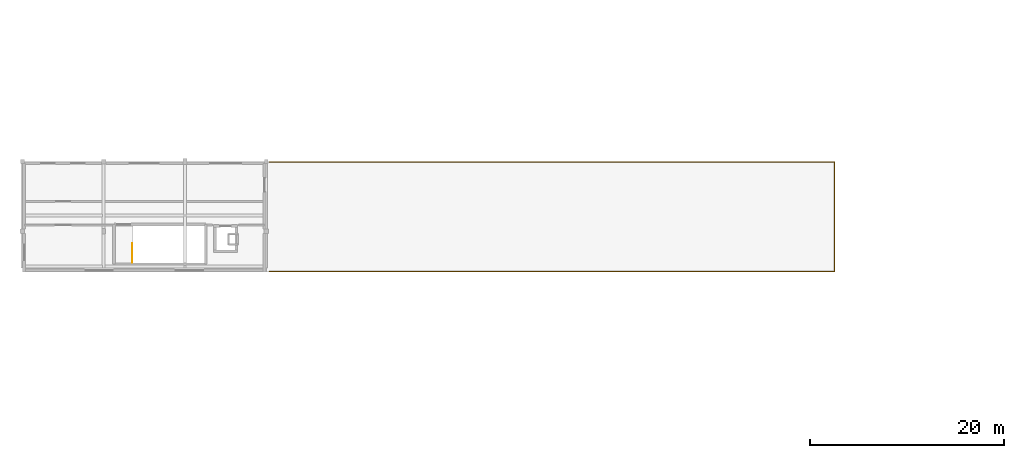
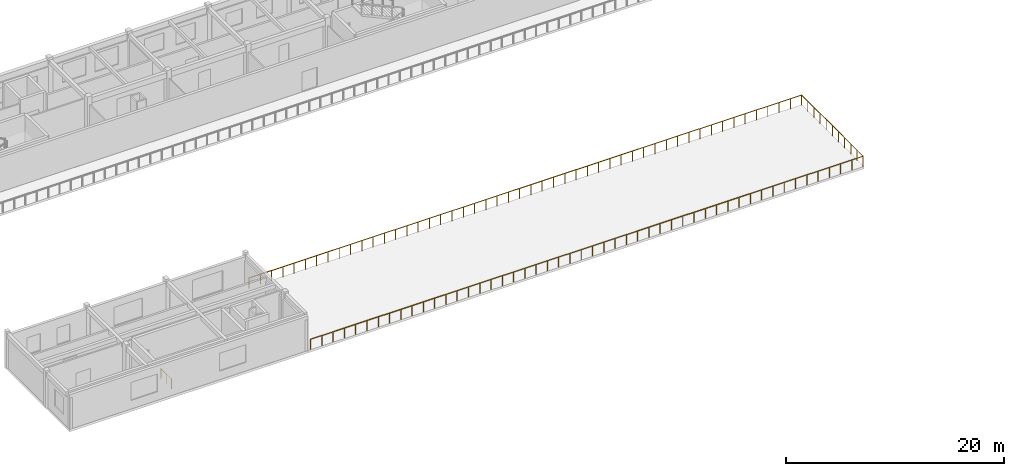
# One storey, part 10 of 14: 2 railings.
"""IFC4 building model written with IfcOpenShell, lengths in metres."""

from ifc_helpers import new_model, si_unit, direction, frame, origin, origin_2d, place, context, subcontext, project, spatial, circle, extrude, material, layer, layer_set, type_object, element, save


model = new_model("IFC4")

# Units and contexts
model_context = context("Model", 3, precision=1e-05, world=origin(), true_north=direction((0.0, 1.0)))
body_context = subcontext(model_context, "Body", "Model", "MODEL_VIEW")
ifc_project = project(units=[si_unit("LENGTHUNIT", "METRE"), si_unit("AREAUNIT", "SQUARE_METRE"), si_unit("VOLUMEUNIT", "CUBIC_METRE"), si_unit("PLANEANGLEUNIT", "RADIAN"), si_unit("MASSUNIT", "GRAM", prefix="KILO")], contexts=[model_context])

# Site, building, storey
site_placement = place(None, origin())
site = spatial("IfcSite", under=ifc_project, at=site_placement, CompositionType="ELEMENT")
building_placement = place(site_placement, origin())
building = spatial("IfcBuilding", under=site, at=building_placement, Name="Malvenik Polytechnic", CompositionType="ELEMENT")
storey_placement = place(building_placement, frame((0.0, 0.0, 21.89990234375)))
storey = spatial("IfcBuildingStorey", under=building, at=storey_placement, Name="L05", CompositionType="ELEMENT", Elevation=21.89990234375)

# Railings
ifc_material_1 = material(Name="Galvanised powder-coated steel and laminated glass guard 1150mm", Category="steel")
ifc_layer_1 = layer(ifc_material_1, 0.070068359375)
ifc_layer_set_1 = layer_set([ifc_layer_1], Name="Galvanised powder-coated steel and laminated glass guard 1150mm")
railing_type_1 = type_object("IfcRailingType", Name="ARC-RL-BAL-1150", PredefinedType="BALUSTRADE", material=ifc_layer_set_1)
railing_1_placement = place(storey_placement, frame((25.52001953125, 93.5400390625, 0.0)))
element("IfcRailing", 1, at=railing_1_placement, inside=storey, type_object=railing_type_1, Name="Terrace Perimeter Balustrade L05 #22", PredefinedType="BALUSTRADE", context=body_context, shape_type="SweptSolid", body=[
    extrude(circle(Radius=0.02392578125, at=origin_2d()), frame((0.0, 0.0, 1.1259765625), z_axis=(1.0, 0.0, 0.0), x_axis=(0.0, 1.0, 0.0)), (0.0, 0.0, 1.0), 58.419921875),
    extrude(circle(Radius=0.02392578125, at=origin_2d()), frame((58.419921875, 0.0, 1.1259765625), z_axis=(0.0, -1.0, 0.0), x_axis=(1.0, 0.0, 0.0)), (0.0, 0.0, 1.0), 11.280029296875),
    extrude(circle(Radius=0.02392578125, at=origin_2d()), frame((58.419921875, -11.280029296875, 1.1259765625), z_axis=(-1.0, 0.0, 0.0), x_axis=(0.0, -1.0, 0.0)), (0.0, 0.0, 1.0), 58.419921875),
    extrude(circle(Radius=0.02099609375, at=origin_2d()), origin(), (0.0, 0.0, 1.0), 1.101806640625),
    extrude(circle(Radius=0.02099609375, at=origin_2d()), frame((1.192138671875, 0.0, 0.0)), (0.0, 0.0, 1.0), 1.101806640625),
    extrude(circle(Radius=0.02099609375, at=origin_2d()), frame((2.384521484375, 0.0, 0.0)), (0.0, 0.0, 1.0), 1.101806640625),
    extrude(circle(Radius=0.02099609375, at=origin_2d()), frame((3.57666015625, 0.0, 0.0)), (0.0, 0.0, 1.0), 1.101806640625),
    extrude(circle(Radius=0.02099609375, at=origin_2d()), frame((4.76904296875, 0.0, 0.0)), (0.0, 0.0, 1.0), 1.101806640625),
    extrude(circle(Radius=0.02099609375, at=origin_2d()), frame((5.961181640625, 0.0, 0.0)), (0.0, 0.0, 1.0), 1.101806640625),
    extrude(circle(Radius=0.02099609375, at=origin_2d()), frame((7.153564453125, 0.0, 0.0)), (0.0, 0.0, 1.0), 1.101806640625),
    extrude(circle(Radius=0.02099609375, at=origin_2d()), frame((8.345703125, 0.0, 0.0)), (0.0, 0.0, 1.0), 1.101806640625),
    extrude(circle(Radius=0.02099609375, at=origin_2d()), frame((9.537841796875, 0.0, 0.0)), (0.0, 0.0, 1.0), 1.101806640625),
    extrude(circle(Radius=0.02099609375, at=origin_2d()), frame((10.730224609375, 0.0, 0.0)), (0.0, 0.0, 1.0), 1.101806640625),
    extrude(circle(Radius=0.02099609375, at=origin_2d()), frame((11.92236328125, 0.0, 0.0)), (0.0, 0.0, 1.0), 1.101806640625),
    extrude(circle(Radius=0.02099609375, at=origin_2d()), frame((13.11474609375, 0.0, 0.0)), (0.0, 0.0, 1.0), 1.101806640625),
    extrude(circle(Radius=0.02099609375, at=origin_2d()), frame((14.306884765625, 0.0, 0.0)), (0.0, 0.0, 1.0), 1.101806640625),
    extrude(circle(Radius=0.02099609375, at=origin_2d()), frame((15.499267578125, 0.0, 0.0)), (0.0, 0.0, 1.0), 1.101806640625),
    extrude(circle(Radius=0.02099609375, at=origin_2d()), frame((16.69140625, 0.0, 0.0)), (0.0, 0.0, 1.0), 1.101806640625),
    extrude(circle(Radius=0.02099609375, at=origin_2d()), frame((17.883544921875, 0.0, 0.0)), (0.0, 0.0, 1.0), 1.101806640625),
    extrude(circle(Radius=0.02099609375, at=origin_2d()), frame((19.075927734375, 0.0, 0.0)), (0.0, 0.0, 1.0), 1.101806640625),
    extrude(circle(Radius=0.02099609375, at=origin_2d()), frame((20.26806640625, 0.0, 0.0)), (0.0, 0.0, 1.0), 1.101806640625),
    extrude(circle(Radius=0.02099609375, at=origin_2d()), frame((21.46044921875, 0.0, 0.0)), (0.0, 0.0, 1.0), 1.101806640625),
    extrude(circle(Radius=0.02099609375, at=origin_2d()), frame((22.652587890625, 0.0, 0.0)), (0.0, 0.0, 1.0), 1.101806640625),
    extrude(circle(Radius=0.02099609375, at=origin_2d()), frame((23.844970703125, 0.0, 0.0)), (0.0, 0.0, 1.0), 1.101806640625),
    extrude(circle(Radius=0.02099609375, at=origin_2d()), frame((25.037109375, 0.0, 0.0)), (0.0, 0.0, 1.0), 1.101806640625),
    extrude(circle(Radius=0.02099609375, at=origin_2d()), frame((26.229248046875, 0.0, 0.0)), (0.0, 0.0, 1.0), 1.101806640625),
    extrude(circle(Radius=0.02099609375, at=origin_2d()), frame((27.421630859375, 0.0, 0.0)), (0.0, 0.0, 1.0), 1.101806640625),
    extrude(circle(Radius=0.02099609375, at=origin_2d()), frame((28.61376953125, 0.0, 0.0)), (0.0, 0.0, 1.0), 1.101806640625),
    extrude(circle(Radius=0.02099609375, at=origin_2d()), frame((29.80615234375, 0.0, 0.0)), (0.0, 0.0, 1.0), 1.101806640625),
    extrude(circle(Radius=0.02099609375, at=origin_2d()), frame((30.998291015625, 0.0, 0.0)), (0.0, 0.0, 1.0), 1.101806640625),
    extrude(circle(Radius=0.02099609375, at=origin_2d()), frame((32.190673828125, 0.0, 0.0)), (0.0, 0.0, 1.0), 1.101806640625),
    extrude(circle(Radius=0.02099609375, at=origin_2d()), frame((33.3828125, 0.0, 0.0)), (0.0, 0.0, 1.0), 1.101806640625),
    extrude(circle(Radius=0.02099609375, at=origin_2d()), frame((34.574951171875, 0.0, 0.0)), (0.0, 0.0, 1.0), 1.101806640625),
    extrude(circle(Radius=0.02099609375, at=origin_2d()), frame((35.767333984375, 0.0, 0.0)), (0.0, 0.0, 1.0), 1.101806640625),
    extrude(circle(Radius=0.02099609375, at=origin_2d()), frame((36.95947265625, 0.0, 0.0)), (0.0, 0.0, 1.0), 1.101806640625),
    extrude(circle(Radius=0.02099609375, at=origin_2d()), frame((38.15185546875, 0.0, 0.0)), (0.0, 0.0, 1.0), 1.101806640625),
    extrude(circle(Radius=0.02099609375, at=origin_2d()), frame((39.343994140625, 0.0, 0.0)), (0.0, 0.0, 1.0), 1.101806640625),
    extrude(circle(Radius=0.02099609375, at=origin_2d()), frame((40.536376953125, 0.0, 0.0)), (0.0, 0.0, 1.0), 1.101806640625),
    extrude(circle(Radius=0.02099609375, at=origin_2d()), frame((41.728515625, 0.0, 0.0)), (0.0, 0.0, 1.0), 1.101806640625),
    extrude(circle(Radius=0.02099609375, at=origin_2d()), frame((42.920654296875, 0.0, 0.0)), (0.0, 0.0, 1.0), 1.101806640625),
    extrude(circle(Radius=0.02099609375, at=origin_2d()), frame((44.113037109375, 0.0, 0.0)), (0.0, 0.0, 1.0), 1.101806640625),
    extrude(circle(Radius=0.02099609375, at=origin_2d()), frame((45.30517578125, 0.0, 0.0)), (0.0, 0.0, 1.0), 1.101806640625),
    extrude(circle(Radius=0.02099609375, at=origin_2d()), frame((46.49755859375, 0.0, 0.0)), (0.0, 0.0, 1.0), 1.101806640625),
    extrude(circle(Radius=0.02099609375, at=origin_2d()), frame((47.689697265625, 0.0, 0.0)), (0.0, 0.0, 1.0), 1.101806640625),
    extrude(circle(Radius=0.02099609375, at=origin_2d()), frame((48.882080078125, 0.0, 0.0)), (0.0, 0.0, 1.0), 1.101806640625),
    extrude(circle(Radius=0.02099609375, at=origin_2d()), frame((50.07421875, 0.0, 0.0)), (0.0, 0.0, 1.0), 1.101806640625),
    extrude(circle(Radius=0.02099609375, at=origin_2d()), frame((51.266357421875, 0.0, 0.0)), (0.0, 0.0, 1.0), 1.101806640625),
    extrude(circle(Radius=0.02099609375, at=origin_2d()), frame((52.458740234375, 0.0, 0.0)), (0.0, 0.0, 1.0), 1.101806640625),
    extrude(circle(Radius=0.02099609375, at=origin_2d()), frame((53.65087890625, 0.0, 0.0)), (0.0, 0.0, 1.0), 1.101806640625),
    extrude(circle(Radius=0.02099609375, at=origin_2d()), frame((54.84326171875, 0.0, 0.0)), (0.0, 0.0, 1.0), 1.101806640625),
    extrude(circle(Radius=0.02099609375, at=origin_2d()), frame((56.035400390625, 0.0, 0.0)), (0.0, 0.0, 1.0), 1.101806640625),
    extrude(circle(Radius=0.02099609375, at=origin_2d()), frame((57.227783203125, 0.0, 0.0)), (0.0, 0.0, 1.0), 1.101806640625),
    extrude(circle(Radius=0.02099609375, at=origin_2d()), frame((58.419921875, 0.0, 0.0)), (0.0, 0.0, 1.0), 1.101806640625),
    extrude(circle(Radius=0.02099609375, at=origin_2d()), frame((58.419921875, -1.1279296875, 0.0)), (0.0, 0.0, 1.0), 1.101806640625),
    extrude(circle(Radius=0.02099609375, at=origin_2d()), frame((58.419921875, -2.256103515625, 0.0)), (0.0, 0.0, 1.0), 1.101806640625),
    extrude(circle(Radius=0.02099609375, at=origin_2d()), frame((58.419921875, -3.384033203125, 0.0)), (0.0, 0.0, 1.0), 1.101806640625),
    extrude(circle(Radius=0.02099609375, at=origin_2d()), frame((58.419921875, -4.511962890625, 0.0)), (0.0, 0.0, 1.0), 1.101806640625),
    extrude(circle(Radius=0.02099609375, at=origin_2d()), frame((58.419921875, -5.64013671875, 0.0)), (0.0, 0.0, 1.0), 1.101806640625),
    extrude(circle(Radius=0.02099609375, at=origin_2d()), frame((58.419921875, -6.76806640625, 0.0)), (0.0, 0.0, 1.0), 1.101806640625),
    extrude(circle(Radius=0.02099609375, at=origin_2d()), frame((58.419921875, -7.89599609375, 0.0)), (0.0, 0.0, 1.0), 1.101806640625),
    extrude(circle(Radius=0.02099609375, at=origin_2d()), frame((58.419921875, -9.02392578125, 0.0)), (0.0, 0.0, 1.0), 1.101806640625),
    extrude(circle(Radius=0.02099609375, at=origin_2d()), frame((58.419921875, -10.152099609375, 0.0)), (0.0, 0.0, 1.0), 1.101806640625),
    extrude(circle(Radius=0.02099609375, at=origin_2d()), frame((58.419921875, -11.280029296875, 0.0)), (0.0, 0.0, 1.0), 1.101806640625),
    extrude(circle(Radius=0.02099609375, at=origin_2d()), frame((57.227783203125, -11.280029296875, 0.0)), (0.0, 0.0, 1.0), 1.101806640625),
    extrude(circle(Radius=0.02099609375, at=origin_2d()), frame((56.035400390625, -11.280029296875, 0.0)), (0.0, 0.0, 1.0), 1.101806640625),
    extrude(circle(Radius=0.02099609375, at=origin_2d()), frame((54.84326171875, -11.280029296875, 0.0)), (0.0, 0.0, 1.0), 1.101806640625),
    extrude(circle(Radius=0.02099609375, at=origin_2d()), frame((53.65087890625, -11.280029296875, 0.0)), (0.0, 0.0, 1.0), 1.101806640625),
    extrude(circle(Radius=0.02099609375, at=origin_2d()), frame((52.458740234375, -11.280029296875, 0.0)), (0.0, 0.0, 1.0), 1.101806640625),
    extrude(circle(Radius=0.02099609375, at=origin_2d()), frame((51.266357421875, -11.280029296875, 0.0)), (0.0, 0.0, 1.0), 1.101806640625),
    extrude(circle(Radius=0.02099609375, at=origin_2d()), frame((50.07421875, -11.280029296875, 0.0)), (0.0, 0.0, 1.0), 1.101806640625),
    extrude(circle(Radius=0.02099609375, at=origin_2d()), frame((48.882080078125, -11.280029296875, 0.0)), (0.0, 0.0, 1.0), 1.101806640625),
    extrude(circle(Radius=0.02099609375, at=origin_2d()), frame((47.689697265625, -11.280029296875, 0.0)), (0.0, 0.0, 1.0), 1.101806640625),
    extrude(circle(Radius=0.02099609375, at=origin_2d()), frame((46.49755859375, -11.280029296875, 0.0)), (0.0, 0.0, 1.0), 1.101806640625),
    extrude(circle(Radius=0.02099609375, at=origin_2d()), frame((45.30517578125, -11.280029296875, 0.0)), (0.0, 0.0, 1.0), 1.101806640625),
    extrude(circle(Radius=0.02099609375, at=origin_2d()), frame((44.113037109375, -11.280029296875, 0.0)), (0.0, 0.0, 1.0), 1.101806640625),
    extrude(circle(Radius=0.02099609375, at=origin_2d()), frame((42.920654296875, -11.280029296875, 0.0)), (0.0, 0.0, 1.0), 1.101806640625),
    extrude(circle(Radius=0.02099609375, at=origin_2d()), frame((41.728515625, -11.280029296875, 0.0)), (0.0, 0.0, 1.0), 1.101806640625),
    extrude(circle(Radius=0.02099609375, at=origin_2d()), frame((40.536376953125, -11.280029296875, 0.0)), (0.0, 0.0, 1.0), 1.101806640625),
    extrude(circle(Radius=0.02099609375, at=origin_2d()), frame((39.343994140625, -11.280029296875, 0.0)), (0.0, 0.0, 1.0), 1.101806640625),
    extrude(circle(Radius=0.02099609375, at=origin_2d()), frame((38.15185546875, -11.280029296875, 0.0)), (0.0, 0.0, 1.0), 1.101806640625),
    extrude(circle(Radius=0.02099609375, at=origin_2d()), frame((36.95947265625, -11.280029296875, 0.0)), (0.0, 0.0, 1.0), 1.101806640625),
    extrude(circle(Radius=0.02099609375, at=origin_2d()), frame((35.767333984375, -11.280029296875, 0.0)), (0.0, 0.0, 1.0), 1.101806640625),
    extrude(circle(Radius=0.02099609375, at=origin_2d()), frame((34.574951171875, -11.280029296875, 0.0)), (0.0, 0.0, 1.0), 1.101806640625),
    extrude(circle(Radius=0.02099609375, at=origin_2d()), frame((33.3828125, -11.280029296875, 0.0)), (0.0, 0.0, 1.0), 1.101806640625),
    extrude(circle(Radius=0.02099609375, at=origin_2d()), frame((32.190673828125, -11.280029296875, 0.0)), (0.0, 0.0, 1.0), 1.101806640625),
    extrude(circle(Radius=0.02099609375, at=origin_2d()), frame((30.998291015625, -11.280029296875, 0.0)), (0.0, 0.0, 1.0), 1.101806640625),
    extrude(circle(Radius=0.02099609375, at=origin_2d()), frame((29.80615234375, -11.280029296875, 0.0)), (0.0, 0.0, 1.0), 1.101806640625),
    extrude(circle(Radius=0.02099609375, at=origin_2d()), frame((28.61376953125, -11.280029296875, 0.0)), (0.0, 0.0, 1.0), 1.101806640625),
    extrude(circle(Radius=0.02099609375, at=origin_2d()), frame((27.421630859375, -11.280029296875, 0.0)), (0.0, 0.0, 1.0), 1.101806640625),
    extrude(circle(Radius=0.02099609375, at=origin_2d()), frame((26.229248046875, -11.280029296875, 0.0)), (0.0, 0.0, 1.0), 1.101806640625),
    extrude(circle(Radius=0.02099609375, at=origin_2d()), frame((25.037109375, -11.280029296875, 0.0)), (0.0, 0.0, 1.0), 1.101806640625),
    extrude(circle(Radius=0.02099609375, at=origin_2d()), frame((23.844970703125, -11.280029296875, 0.0)), (0.0, 0.0, 1.0), 1.101806640625),
    extrude(circle(Radius=0.02099609375, at=origin_2d()), frame((22.652587890625, -11.280029296875, 0.0)), (0.0, 0.0, 1.0), 1.101806640625),
    extrude(circle(Radius=0.02099609375, at=origin_2d()), frame((21.46044921875, -11.280029296875, 0.0)), (0.0, 0.0, 1.0), 1.101806640625),
    extrude(circle(Radius=0.02099609375, at=origin_2d()), frame((20.26806640625, -11.280029296875, 0.0)), (0.0, 0.0, 1.0), 1.101806640625),
    extrude(circle(Radius=0.02099609375, at=origin_2d()), frame((19.075927734375, -11.280029296875, 0.0)), (0.0, 0.0, 1.0), 1.101806640625),
    extrude(circle(Radius=0.02099609375, at=origin_2d()), frame((17.883544921875, -11.280029296875, 0.0)), (0.0, 0.0, 1.0), 1.101806640625),
    extrude(circle(Radius=0.02099609375, at=origin_2d()), frame((16.69140625, -11.280029296875, 0.0)), (0.0, 0.0, 1.0), 1.101806640625),
    extrude(circle(Radius=0.02099609375, at=origin_2d()), frame((15.499267578125, -11.280029296875, 0.0)), (0.0, 0.0, 1.0), 1.101806640625),
    extrude(circle(Radius=0.02099609375, at=origin_2d()), frame((14.306884765625, -11.280029296875, 0.0)), (0.0, 0.0, 1.0), 1.101806640625),
    extrude(circle(Radius=0.02099609375, at=origin_2d()), frame((13.11474609375, -11.280029296875, 0.0)), (0.0, 0.0, 1.0), 1.101806640625),
    extrude(circle(Radius=0.02099609375, at=origin_2d()), frame((11.92236328125, -11.280029296875, 0.0)), (0.0, 0.0, 1.0), 1.101806640625),
    extrude(circle(Radius=0.02099609375, at=origin_2d()), frame((10.730224609375, -11.280029296875, 0.0)), (0.0, 0.0, 1.0), 1.101806640625),
    extrude(circle(Radius=0.02099609375, at=origin_2d()), frame((9.537841796875, -11.280029296875, 0.0)), (0.0, 0.0, 1.0), 1.101806640625),
    extrude(circle(Radius=0.02099609375, at=origin_2d()), frame((8.345703125, -11.280029296875, 0.0)), (0.0, 0.0, 1.0), 1.101806640625),
    extrude(circle(Radius=0.02099609375, at=origin_2d()), frame((7.153564453125, -11.280029296875, 0.0)), (0.0, 0.0, 1.0), 1.101806640625),
    extrude(circle(Radius=0.02099609375, at=origin_2d()), frame((5.961181640625, -11.280029296875, 0.0)), (0.0, 0.0, 1.0), 1.101806640625),
    extrude(circle(Radius=0.02099609375, at=origin_2d()), frame((4.76904296875, -11.280029296875, 0.0)), (0.0, 0.0, 1.0), 1.101806640625),
    extrude(circle(Radius=0.02099609375, at=origin_2d()), frame((3.57666015625, -11.280029296875, 0.0)), (0.0, 0.0, 1.0), 1.101806640625),
    extrude(circle(Radius=0.02099609375, at=origin_2d()), frame((2.384521484375, -11.280029296875, 0.0)), (0.0, 0.0, 1.0), 1.101806640625),
    extrude(circle(Radius=0.02099609375, at=origin_2d()), frame((1.192138671875, -11.280029296875, 0.0)), (0.0, 0.0, 1.0), 1.101806640625),
    extrude(circle(Radius=0.02099609375, at=origin_2d()), frame((0.0, -11.280029296875, 0.0)), (0.0, 0.0, 1.0), 1.101806640625),
])
ifc_material_2 = material(Name="Painted galvanised steel stair well balustrade 1100mm", Category="steel")
ifc_layer_2 = layer(ifc_material_2, 0.050048828125)
ifc_layer_set_2 = layer_set([ifc_layer_2], Name="Painted galvanised steel stair well balustrade 1100mm")
railing_type_2 = type_object("IfcRailingType", Name="ARC-RL-STGD", PredefinedType="BALUSTRADE", material=ifc_layer_set_2)
railing_2_placement = place(storey_placement, frame((11.35009765625, 83.14990234375, 0.0)))
element("IfcRailing", 2, at=railing_2_placement, inside=storey, type_object=railing_type_2, Name="L05 ST-04 top well guard 1", PredefinedType="BALUSTRADE", context=body_context, shape_type="SweptSolid", body=[
    extrude(circle(Radius=0.02392578125, at=origin_2d()), frame((0.0, 0.0, 1.076171875), z_axis=(0.0, 1.0, 0.0), x_axis=(-1.0, 0.0, 0.0)), (0.0, 0.0, 1.0), 2.0),
    extrude(circle(Radius=0.02099609375, at=origin_2d()), origin(), (0.0, 0.0, 1.0), 1.052001953125),
    extrude(circle(Radius=0.02099609375, at=origin_2d()), frame((0.0, 1.0, 0.0)), (0.0, 0.0, 1.0), 1.052001953125),
    extrude(circle(Radius=0.02099609375, at=origin_2d()), frame((0.0, 2.0, 0.0)), (0.0, 0.0, 1.0), 1.052001953125),
])

save(model, "model.ifc")
